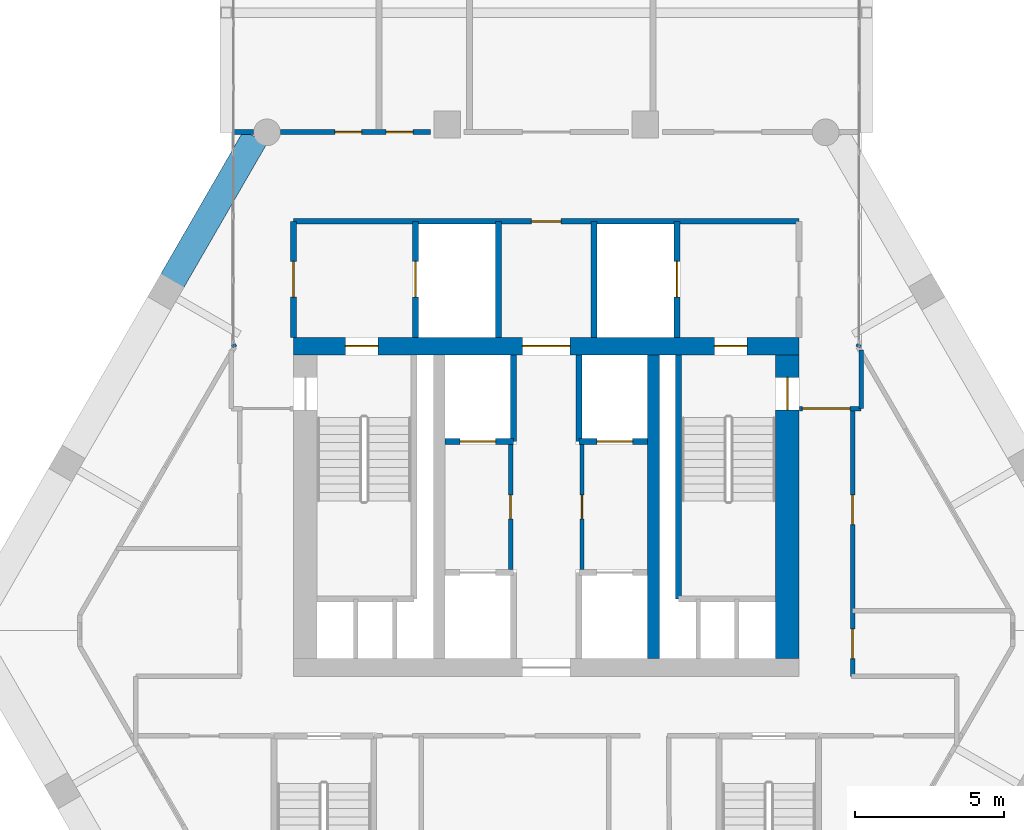
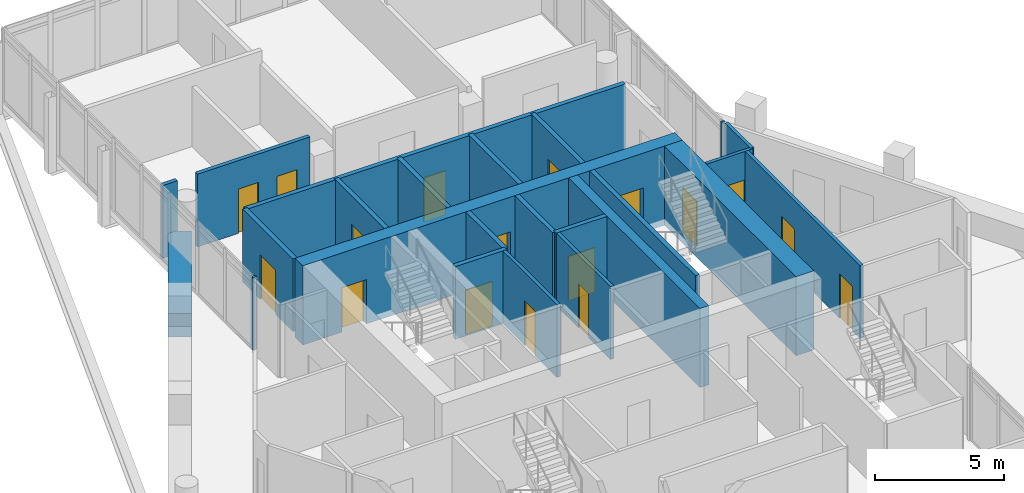
# One storey, part 31 of 34: 24 walls, 17 doors, 17 openings.
"""IFC4 building model written with IfcOpenShell, lengths in metres."""

from ifc_helpers import new_model, si_unit, direction, frame, frame_2d, origin, place, context, subcontext, project, spatial, rectangle, extrude, material, layer, layer_set, type_object, element, fill, save


model = new_model("IFC4")

# Units and contexts
model_context = context("Model", 3, precision=1e-05, world=origin(), true_north=direction((0.0, 1.0)))
body_context = subcontext(model_context, "Body", "Model", "MODEL_VIEW")
ifc_project = project(units=[si_unit("LENGTHUNIT", "METRE"), si_unit("AREAUNIT", "SQUARE_METRE"), si_unit("VOLUMEUNIT", "CUBIC_METRE"), si_unit("PLANEANGLEUNIT", "RADIAN"), si_unit("MASSUNIT", "GRAM", prefix="KILO")], contexts=[model_context])

# Site, building, storey
site_placement = place(None, origin())
site = spatial("IfcSite", under=ifc_project, at=site_placement, CompositionType="ELEMENT")
building_placement = place(site_placement, origin())
building = spatial("IfcBuilding", under=site, at=building_placement, Name="Ostrander Bayou Hotel Tower", CompositionType="ELEMENT")
storey_placement = place(building_placement, frame((0.0, 0.0, 222.0)))
storey = spatial("IfcBuildingStorey", under=building, at=storey_placement, Name="L55", CompositionType="ELEMENT", Elevation=222.0)

# Wall, openings, doors
ifc_material_1 = material(Name="Concrete f'c 60 MPa", Category="concrete")
ifc_layer_1 = layer(ifc_material_1, 0.60009765625)
ifc_layer_set_1 = layer_set([ifc_layer_1], Name="CW10 core wall 600 mm f'c 60 MPa")
wall_type_1 = type_object("IfcWallType", Name="CW10 core wall 600 mm f'c 60 MPa", PredefinedType="SHEAR", material=ifc_layer_set_1)
wall_1_placement = place(storey_placement, frame((-8.5, 9.39990234375, -0.300048828125), z_axis=(0.0, 0.0, 1.0), x_axis=(1.0, 0.0, 0.0)))
wall_1 = element("IfcWall", 1, at=wall_1_placement, inside=storey, type_object=wall_type_1, Name="CW10 L55 N", PredefinedType="SHEAR", context=body_context, shape_type="SweptSolid", body=[
    extrude(rectangle(XDim=17.0, YDim=0.60009765625, at=frame_2d((8.5, 0.0))), origin(), (0.0, 0.0, 1.0), 3.75),
])
opening_1_placement = place(wall_1_placement, frame((7.699951171875, 0.0, 0.0)))
opening_1 = element("IfcOpeningElement", 2, at=opening_1_placement, cuts=wall_1, Name="Opening T55-006", PredefinedType="OPENING", context=body_context, shape_type="SweptSolid", body=[
    extrude(rectangle(XDim=1.60009765625, YDim=2.10009765625, at=frame_2d((0.800048828125, 1.050048828125))), frame((0.0, 0.300048828125, 0.0), z_axis=(0.0, -1.0, 0.0), x_axis=(1.0, 0.0, 0.0)), (0.0, 0.0, 1.0), 0.60009765625),
])
opening_2_placement = place(wall_1_placement, frame((1.75, 0.0, 0.0)))
opening_2 = element("IfcOpeningElement", 3, at=opening_2_placement, cuts=wall_1, Name="Opening T55-007", PredefinedType="OPENING", context=body_context, shape_type="SweptSolid", body=[
    extrude(rectangle(XDim=1.10009765625, YDim=2.10009765625, at=frame_2d((0.550048828125, 1.050048828125))), frame((0.0, 0.300048828125, 0.0), z_axis=(0.0, -1.0, 0.0), x_axis=(1.0, 0.0, 0.0)), (0.0, 0.0, 1.0), 0.60009765625),
])
opening_3_placement = place(wall_1_placement, frame((14.14990234375, 0.0, 0.0)))
opening_3 = element("IfcOpeningElement", 4, at=opening_3_placement, cuts=wall_1, Name="Opening T55-009", PredefinedType="OPENING", context=body_context, shape_type="SweptSolid", body=[
    extrude(rectangle(XDim=1.10009765625, YDim=2.10009765625, at=frame_2d((0.550048828125, 1.050048828125))), frame((0.0, 0.300048828125, 0.0), z_axis=(0.0, -1.0, 0.0), x_axis=(1.0, 0.0, 0.0)), (0.0, 0.0, 1.0), 0.60009765625),
])
ifc_material_2 = material(Name="Timber door leaf", Category="wood")
door_type_1 = type_object("IfcDoorType", Name="D13 double door 1600 x 2100 mm, 1 hour", OperationType="SINGLE_SWING_LEFT", PredefinedType="DOOR", material=ifc_material_2)
door_1_placement = place(opening_1_placement, origin())
door_1 = element("IfcDoor", 5, at=door_1_placement, inside=storey, type_object=door_type_1, Name="dr:L55:006", OperationType="DOUBLE_DOOR_SINGLE_SWING", OverallHeight=2.10009765625, OverallWidth=1.60009765625, PredefinedType="DOOR", context=body_context, shape_type="SweptSolid", body=[
    extrude(rectangle(XDim=1.60009765625, YDim=2.10009765625, at=frame_2d((0.800048828125, 1.050048828125))), frame((0.0, 0.02490234375, 0.0), z_axis=(0.0, -1.0, 0.0), x_axis=(1.0, 0.0, 0.0)), (0.0, 0.0, 1.0), 0.050048828125),
])
fill(opening_1, door_1)
ifc_material_3 = material(Name="Timber door leaf", Category="wood")
door_type_2 = type_object("IfcDoorType", Name="D5 stair door 1100 x 2100 mm, 90 minute", OperationType="SINGLE_SWING_LEFT", PredefinedType="DOOR", material=ifc_material_3)
door_2_placement = place(opening_2_placement, origin())
door_2 = element("IfcDoor", 6, at=door_2_placement, inside=storey, type_object=door_type_2, Name="dr:L55:007", OperationType="SINGLE_SWING_LEFT", OverallHeight=2.10009765625, OverallWidth=1.10009765625, PredefinedType="DOOR", context=body_context, shape_type="SweptSolid", body=[
    extrude(rectangle(XDim=1.10009765625, YDim=2.10009765625, at=frame_2d((0.550048828125, 1.050048828125))), frame((0.0, 0.02490234375, 0.0), z_axis=(0.0, -1.0, 0.0), x_axis=(1.0, 0.0, 0.0)), (0.0, 0.0, 1.0), 0.050048828125),
])
fill(opening_2, door_2)
door_3_placement = place(opening_3_placement, origin())
door_3 = element("IfcDoor", 7, at=door_3_placement, inside=storey, type_object=door_type_2, Name="dr:L55:009", OperationType="SINGLE_SWING_RIGHT", OverallHeight=2.10009765625, OverallWidth=1.10009765625, PredefinedType="DOOR", context=body_context, shape_type="SweptSolid", body=[
    extrude(rectangle(XDim=1.10009765625, YDim=2.10009765625, at=frame_2d((0.550048828125, 1.050048828125))), frame((0.0, 0.02490234375, 0.0), z_axis=(0.0, -1.0, 0.0), x_axis=(1.0, 0.0, 0.0)), (0.0, 0.0, 1.0), 0.050048828125),
])
fill(opening_3, door_3)

# Wall, opening, door
ifc_material_4 = material(Name="Concrete f'c 60 MPa", Category="concrete")
ifc_layer_2 = layer(ifc_material_4, 0.800048828125)
ifc_layer_set_2 = layer_set([ifc_layer_2], Name="CW11 core spine wall 800 mm f'c 60 MPa")
wall_type_2 = type_object("IfcWallType", Name="CW11 core spine wall 800 mm f'c 60 MPa", PredefinedType="SHEAR", material=ifc_layer_set_2)
wall_2_placement = place(storey_placement, frame((8.10009765625, -1.10009765625, -0.300048828125), z_axis=(0.0, 0.0, 1.0), x_axis=(0.0, 1.0, 0.0)))
wall_2 = element("IfcWall", 8, at=wall_2_placement, inside=storey, type_object=wall_type_2, Name="CW11 L55 E", PredefinedType="SHEAR", context=body_context, shape_type="SweptSolid", body=[
    extrude(rectangle(XDim=10.2001953125, YDim=0.800048828125, at=frame_2d((5.10009765625, 0.0))), origin(), (0.0, 0.0, 1.0), 3.75),
])
opening_4_placement = place(wall_2_placement, frame((8.35009765625, 0.0, 0.0)))
opening_4 = element("IfcOpeningElement", 9, at=opening_4_placement, cuts=wall_2, Name="Opening T55-010", PredefinedType="OPENING", context=body_context, shape_type="SweptSolid", body=[
    extrude(rectangle(XDim=1.10009765625, YDim=2.10009765625, at=frame_2d((0.550048828125, 1.050048828125))), frame((0.0, 0.39990234375, 0.0), z_axis=(0.0, -1.0, 0.0), x_axis=(1.0, 0.0, 0.0)), (0.0, 0.0, 1.0), 0.800048828125),
])
door_4_placement = place(opening_4_placement, origin())
door_4 = element("IfcDoor", 10, at=door_4_placement, inside=storey, type_object=door_type_2, Name="dr:L55:010", OperationType="SINGLE_SWING_LEFT", OverallHeight=2.10009765625, OverallWidth=1.10009765625, PredefinedType="DOOR", context=body_context, shape_type="SweptSolid", body=[
    extrude(rectangle(XDim=1.10009765625, YDim=2.10009765625, at=frame_2d((0.550048828125, 1.050048828125))), frame((0.0, 0.02490234375, 0.0), z_axis=(0.0, -1.0, 0.0), x_axis=(1.0, 0.0, 0.0)), (0.0, 0.0, 1.0), 0.050048828125),
])
fill(opening_4, door_4)

# Walls
ifc_material_5 = material(Name="Concrete f'c 60 MPa", Category="concrete")
ifc_layer_3 = layer(ifc_material_5, 0.39990234375)
ifc_layer_set_3 = layer_set([ifc_layer_3], Name="CW12 core bank wall 400 mm f'c 60 MPa")
wall_type_3 = type_object("IfcWallType", Name="CW12 core bank wall 400 mm f'c 60 MPa", PredefinedType="SHEAR", material=ifc_layer_set_3)
wall_3_placement = place(storey_placement, frame((3.60009765625, -1.10009765625, -0.300048828125), z_axis=(0.0, 0.0, 1.0), x_axis=(0.0, 1.0, 0.0)))
element("IfcWall", 11, at=wall_3_placement, inside=storey, type_object=wall_type_3, Name="CW12 L55 CE", PredefinedType="SHEAR", context=body_context, shape_type="SweptSolid", body=[
    extrude(rectangle(XDim=10.2001953125, YDim=0.39990234375, at=frame_2d((5.10009765625, 0.0))), origin(), (0.0, 0.0, 1.0), 3.75),
])
ifc_material_6 = material(Name="Aluminium framed insulated wall", Category="aluminium")
ifc_layer_4 = layer(ifc_material_6, 0.14990234375)
ifc_layer_set_4 = layer_set([ifc_layer_4], Name="GW1 glass-line wall 150 mm")
wall_type_4 = type_object("IfcWallType", Name="GW1 glass-line wall 150 mm", PredefinedType="SOLIDWALL", material=ifc_layer_set_4)
for number, where, z_axis, x_axis, name in (
    (12, (-10.47900390625, 9.37255859375, 0.0), (0.0, 0.0, 1.0), (-0.337751931921, 0.941235163221, 0.0), "GW1 L55 bar joint 1"),
    (13, (10.47900390625, 9.37255859375, 0.0), (0.0, 0.0, 1.0), (0.337751931921, 0.941235163221, 0.0), "GW1 L55 bar joint 4"),
):
    element("IfcWall", number, at=place(storey_placement, frame(where, z_axis=z_axis, x_axis=x_axis)), inside=storey, type_object=wall_type_4, Name=name, PredefinedType="SOLIDWALL", context=body_context, shape_type="SweptSolid", body=[
        extrude(rectangle(XDim=0.098388671875, YDim=0.14990234375, at=frame_2d((0.04931640625, 0.0))), origin(), (0.0, 0.0, 1.0), 3.449951171875),
    ])
ifc_material_7 = material(Name="Concrete f'c 40 MPa", Category="concrete")
ifc_layer_5 = layer(ifc_material_7, 0.89990234375)
ifc_layer_set_5 = layer_set([ifc_layer_5], Name="PA1 stone-faced parapet 900 mm")
wall_type_5 = type_object("IfcWallType", Name="PA1 stone-faced parapet 900 mm", PredefinedType="PARAPET", material=ifc_layer_set_5)
wall_4_placement = place(storey_placement, frame((-9.782958984375, 16.427978515625, 0.0), z_axis=(0.0, 0.0, 1.0), x_axis=(-0.500007442593, -0.866021106759, 0.0)))
element("IfcWall", 14, at=wall_4_placement, inside=storey, type_object=wall_type_5, Name="PA1 L55 NW-1", PredefinedType="PARAPET", context=body_context, shape_type="SweptSolid", body=[
    extrude(rectangle(XDim=5.58642578125, YDim=0.89990234375, at=frame_2d((2.793212890625, 0.0))), origin(), (0.0, 0.0, 1.0), 1.10009765625),
])
ifc_material_8 = material(Name="Gypsum board partition", Category="finish")
ifc_layer_6 = layer(ifc_material_8, 0.175048828125)
ifc_layer_set_6 = layer_set([ifc_layer_6], Name="PT4 corridor wall 175 mm, 1 hour")
wall_type_6 = type_object("IfcWallType", Name="PT4 corridor wall 175 mm, 1 hour", PredefinedType="PARTITIONING", material=ifc_layer_set_6)
wall_5_placement = place(storey_placement, frame((-10.4931640625, 16.60009765625, 0.0), z_axis=(0.0, 0.0, 1.0), x_axis=(1.0, 0.0, 0.0)))
element("IfcWall", 15, at=wall_5_placement, inside=storey, type_object=wall_type_6, Name="sw:L55:503", PredefinedType="PARTITIONING", context=body_context, shape_type="SweptSolid", body=[
    extrude(rectangle(XDim=0.65576171875, YDim=0.175048828125, at=frame_2d((0.327880859375, 0.0))), origin(), (0.0, 0.0, 1.0), 3.449951171875),
])

# Wall, openings, doors
wall_6_placement = place(storey_placement, frame((-8.939697265625, 16.60009765625, 0.0), z_axis=(0.0, 0.0, 1.0), x_axis=(1.0, 0.0, 0.0)))
wall_6 = element("IfcWall", 16, at=wall_6_placement, inside=storey, type_object=wall_type_6, Name="sw:L55:504", PredefinedType="PARTITIONING", context=body_context, shape_type="SweptSolid", body=[
    extrude(rectangle(XDim=5.040771484375, YDim=0.175048828125, at=frame_2d((2.5205078125, 0.0))), origin(), (0.0, 0.0, 1.0), 3.449951171875),
])
opening_5_placement = place(wall_6_placement, frame((1.83154296875, 0.0, 0.0)))
opening_5 = element("IfcOpeningElement", 17, at=opening_5_placement, cuts=wall_6, Name="Opening T55-1209", PredefinedType="OPENING", context=body_context, shape_type="SweptSolid", body=[
    extrude(rectangle(XDim=0.89990234375, YDim=2.10009765625, at=frame_2d((0.449951171875, 1.050048828125))), frame((0.0, 0.08740234375, 0.0), z_axis=(0.0, -1.0, 0.0), x_axis=(1.0, 0.0, 0.0)), (0.0, 0.0, 1.0), 0.175048828125),
])
opening_6_placement = place(wall_6_placement, frame((3.5595703125, 0.0, 0.0)))
opening_6 = element("IfcOpeningElement", 18, at=opening_6_placement, cuts=wall_6, Name="Opening T55-1210", PredefinedType="OPENING", context=body_context, shape_type="SweptSolid", body=[
    extrude(rectangle(XDim=0.89990234375, YDim=2.10009765625, at=frame_2d((0.449951171875, 1.050048828125))), frame((0.0, 0.08740234375, 0.0), z_axis=(0.0, -1.0, 0.0), x_axis=(1.0, 0.0, 0.0)), (0.0, 0.0, 1.0), 0.175048828125),
])
ifc_material_9 = material(Name="Timber door leaf", Category="wood")
door_type_3 = type_object("IfcDoorType", Name="D8 room door 900 x 2100 mm", OperationType="SINGLE_SWING_LEFT", PredefinedType="DOOR", material=ifc_material_9)
door_5_placement = place(opening_5_placement, origin())
door_5 = element("IfcDoor", 19, at=door_5_placement, inside=storey, type_object=door_type_3, Name="dr:L55:1209", OperationType="SINGLE_SWING_LEFT", OverallHeight=2.10009765625, OverallWidth=0.89990234375, PredefinedType="DOOR", context=body_context, shape_type="SweptSolid", body=[
    extrude(rectangle(XDim=0.89990234375, YDim=2.10009765625, at=frame_2d((0.449951171875, 1.050048828125))), frame((0.0, 0.02490234375, 0.0), z_axis=(0.0, -1.0, 0.0), x_axis=(1.0, 0.0, 0.0)), (0.0, 0.0, 1.0), 0.050048828125),
])
fill(opening_5, door_5)
door_6_placement = place(opening_6_placement, origin())
door_6 = element("IfcDoor", 20, at=door_6_placement, inside=storey, type_object=door_type_3, Name="dr:L55:1210", OperationType="SINGLE_SWING_RIGHT", OverallHeight=2.10009765625, OverallWidth=0.89990234375, PredefinedType="DOOR", context=body_context, shape_type="SweptSolid", body=[
    extrude(rectangle(XDim=0.89990234375, YDim=2.10009765625, at=frame_2d((0.449951171875, 1.050048828125))), frame((0.0, 0.02490234375, 0.0), z_axis=(0.0, -1.0, 0.0), x_axis=(1.0, 0.0, 0.0)), (0.0, 0.0, 1.0), 0.050048828125),
])
fill(opening_6, door_6)

# Wall, opening, door
ifc_material_10 = material(Name="Masonry block", Category="masonry")
ifc_layer_7 = layer(ifc_material_10, 0.199951171875)
ifc_layer_set_7 = layer_set([ifc_layer_7], Name="PT5 stair enclosure wall 200 mm masonry, 2 hour")
wall_type_7 = type_object("IfcWallType", Name="PT5 stair enclosure wall 200 mm masonry, 2 hour", PredefinedType="PARTITIONING", material=ifc_layer_set_7)
wall_7_placement = place(storey_placement, frame((-8.5, 13.60009765625, 0.0), z_axis=(0.0, 0.0, 1.0), x_axis=(1.0, 0.0, 0.0)))
wall_7 = element("IfcWall", 21, at=wall_7_placement, inside=storey, type_object=wall_type_7, Name="cs:L55:025", PredefinedType="PARTITIONING", context=body_context, shape_type="SweptSolid", body=[
    extrude(rectangle(XDim=17.0, YDim=0.199951171875, at=frame_2d((8.5, 0.0))), origin(), (0.0, 0.0, 1.0), 3.449951171875),
])
opening_7_placement = place(wall_7_placement, frame((8.0, 0.0, 0.0)))
opening_7 = element("IfcOpeningElement", 22, at=opening_7_placement, cuts=wall_7, Name="Opening T55-017", PredefinedType="OPENING", context=body_context, shape_type="SweptSolid", body=[
    extrude(rectangle(XDim=1.0, YDim=2.10009765625, at=frame_2d((0.5, 1.050048828125))), frame((0.0, 0.10009765625, 0.0), z_axis=(0.0, -1.0, 0.0), x_axis=(1.0, 0.0, 0.0)), (0.0, 0.0, 1.0), 0.199951171875),
])
ifc_material_11 = material(Name="Timber door leaf", Category="wood")
door_type_4 = type_object("IfcDoorType", Name="D9 service door 1000 x 2100 mm, 30 minute", OperationType="SINGLE_SWING_LEFT", PredefinedType="DOOR", material=ifc_material_11)
door_7_placement = place(opening_7_placement, origin())
door_7 = element("IfcDoor", 23, at=door_7_placement, inside=storey, type_object=door_type_4, Name="dr:L55:017", OperationType="SINGLE_SWING_LEFT", OverallHeight=2.10009765625, OverallWidth=1.0, PredefinedType="DOOR", context=body_context, shape_type="SweptSolid", body=[
    extrude(rectangle(XDim=1.0, YDim=2.10009765625, at=frame_2d((0.5, 1.050048828125))), frame((0.0, 0.02490234375, 0.0), z_axis=(0.0, -1.0, 0.0), x_axis=(1.0, 0.0, 0.0)), (0.0, 0.0, 1.0), 0.050048828125),
])
fill(opening_7, door_7)

wall_8_placement = place(storey_placement, frame((-8.5, 9.699951171875, 0.0), z_axis=(0.0, 0.0, 1.0), x_axis=(0.0, 1.0, 0.0)))
wall_8 = element("IfcWall", 24, at=wall_8_placement, inside=storey, type_object=wall_type_7, Name="cs:L55:026", PredefinedType="PARTITIONING", context=body_context, shape_type="SweptSolid", body=[
    extrude(rectangle(XDim=3.900146484375, YDim=0.199951171875, at=frame_2d((1.9501953125, 0.0))), origin(), (0.0, 0.0, 1.0), 3.449951171875),
])
opening_8_placement = place(wall_8_placement, frame((1.35009765625, 0.0, 0.0)))
opening_8 = element("IfcOpeningElement", 25, at=opening_8_placement, cuts=wall_8, Name="Opening T55-014", PredefinedType="OPENING", context=body_context, shape_type="SweptSolid", body=[
    extrude(rectangle(XDim=1.199951171875, YDim=2.10009765625, at=frame_2d((0.60009765625, 1.050048828125))), frame((0.0, 0.10009765625, 0.0), z_axis=(0.0, -1.0, 0.0), x_axis=(1.0, 0.0, 0.0)), (0.0, 0.0, 1.0), 0.199951171875),
])
ifc_material_12 = material(Name="Timber door leaf", Category="wood")
door_type_5 = type_object("IfcDoorType", Name="D7 lobby door 1200 x 2100 mm, 1 hour", OperationType="SINGLE_SWING_LEFT", PredefinedType="DOOR", material=ifc_material_12)
door_8_placement = place(opening_8_placement, origin())
door_8 = element("IfcDoor", 26, at=door_8_placement, inside=storey, type_object=door_type_5, Name="dr:L55:014", OperationType="SINGLE_SWING_LEFT", OverallHeight=2.10009765625, OverallWidth=1.199951171875, PredefinedType="DOOR", context=body_context, shape_type="SweptSolid", body=[
    extrude(rectangle(XDim=1.199951171875, YDim=2.10009765625, at=frame_2d((0.60009765625, 1.050048828125))), frame((0.0, 0.02490234375, 0.0), z_axis=(0.0, -1.0, 0.0), x_axis=(1.0, 0.0, 0.0)), (0.0, 0.0, 1.0), 0.050048828125),
])
fill(opening_8, door_8)

wall_9_placement = place(storey_placement, frame((-4.39990234375, 9.699951171875, 0.0), z_axis=(0.0, 0.0, 1.0), x_axis=(0.0, 1.0, 0.0)))
wall_9 = element("IfcWall", 27, at=wall_9_placement, inside=storey, type_object=wall_type_7, Name="cs:L55:028", PredefinedType="PARTITIONING", context=body_context, shape_type="SweptSolid", body=[
    extrude(rectangle(XDim=3.900146484375, YDim=0.199951171875, at=frame_2d((1.9501953125, 0.0))), origin(), (0.0, 0.0, 1.0), 3.449951171875),
])
opening_9_placement = place(wall_9_placement, frame((1.35009765625, 0.0, 0.0)))
opening_9 = element("IfcOpeningElement", 28, at=opening_9_placement, cuts=wall_9, Name="Opening T55-013", PredefinedType="OPENING", context=body_context, shape_type="SweptSolid", body=[
    extrude(rectangle(XDim=1.199951171875, YDim=2.10009765625, at=frame_2d((0.60009765625, 1.050048828125))), frame((0.0, 0.10009765625, 0.0), z_axis=(0.0, -1.0, 0.0), x_axis=(1.0, 0.0, 0.0)), (0.0, 0.0, 1.0), 0.199951171875),
])
ifc_material_13 = material(Name="Stainless steel sliding door", Category="steel")
door_type_6 = type_object("IfcDoorType", Name="LD1 lift landing door 1200 x 2100 mm", OperationType="SINGLE_SWING_LEFT", PredefinedType="DOOR", material=ifc_material_13)
door_9_placement = place(opening_9_placement, origin())
door_9 = element("IfcDoor", 29, at=door_9_placement, inside=storey, type_object=door_type_6, Name="dr:L55:013", OperationType="SLIDING_TO_LEFT", OverallHeight=2.10009765625, OverallWidth=1.199951171875, PredefinedType="DOOR", context=body_context, shape_type="SweptSolid", body=[
    extrude(rectangle(XDim=1.199951171875, YDim=2.10009765625, at=frame_2d((0.60009765625, 1.050048828125))), frame((0.0, 0.02490234375, 0.0), z_axis=(0.0, -1.0, 0.0), x_axis=(1.0, 0.0, 0.0)), (0.0, 0.0, 1.0), 0.050048828125),
])
fill(opening_9, door_9)

wall_10_placement = place(storey_placement, frame((4.39990234375, 9.699951171875, 0.0), z_axis=(0.0, 0.0, 1.0), x_axis=(0.0, 1.0, 0.0)))
wall_10 = element("IfcWall", 30, at=wall_10_placement, inside=storey, type_object=wall_type_7, Name="cs:L55:029", PredefinedType="PARTITIONING", context=body_context, shape_type="SweptSolid", body=[
    extrude(rectangle(XDim=3.900146484375, YDim=0.199951171875, at=frame_2d((1.9501953125, 0.0))), origin(), (0.0, 0.0, 1.0), 3.449951171875),
])
opening_10_placement = place(wall_10_placement, frame((1.35009765625, 0.0, 0.0)))
opening_10 = element("IfcOpeningElement", 31, at=opening_10_placement, cuts=wall_10, Name="Opening T55-015", PredefinedType="OPENING", context=body_context, shape_type="SweptSolid", body=[
    extrude(rectangle(XDim=1.199951171875, YDim=2.10009765625, at=frame_2d((0.60009765625, 1.050048828125))), frame((0.0, 0.10009765625, 0.0), z_axis=(0.0, -1.0, 0.0), x_axis=(1.0, 0.0, 0.0)), (0.0, 0.0, 1.0), 0.199951171875),
])
door_10_placement = place(opening_10_placement, origin())
door_10 = element("IfcDoor", 32, at=door_10_placement, inside=storey, type_object=door_type_6, Name="dr:L55:015", OperationType="SLIDING_TO_LEFT", OverallHeight=2.10009765625, OverallWidth=1.199951171875, PredefinedType="DOOR", context=body_context, shape_type="SweptSolid", body=[
    extrude(rectangle(XDim=1.199951171875, YDim=2.10009765625, at=frame_2d((0.60009765625, 1.050048828125))), frame((0.0, 0.02490234375, 0.0), z_axis=(0.0, -1.0, 0.0), x_axis=(1.0, 0.0, 0.0)), (0.0, 0.0, 1.0), 0.050048828125),
])
fill(opening_10, door_10)

ifc_material_14 = material(Name="Masonry block", Category="masonry")
ifc_layer_8 = layer(ifc_material_14, 0.199951171875)
ifc_layer_set_8 = layer_set([ifc_layer_8], Name="PT6 lift shaft wall 200 mm masonry, 2 hour")
wall_type_8 = type_object("IfcWallType", Name="PT6 lift shaft wall 200 mm masonry, 2 hour", PredefinedType="PARTITIONING", material=ifc_layer_set_8)
wall_11_placement = place(storey_placement, frame((-3.39990234375, 6.199951171875, 0.0), z_axis=(0.0, 0.0, 1.0), x_axis=(1.0, 0.0, 0.0)))
wall_11 = element("IfcWall", 33, at=wall_11_placement, inside=storey, type_object=wall_type_8, Name="cs:L55:002", PredefinedType="PARTITIONING", context=body_context, shape_type="SweptSolid", body=[
    extrude(rectangle(XDim=2.2998046875, YDim=0.199951171875, at=frame_2d((1.14990234375, 0.0))), origin(), (0.0, 0.0, 1.0), 3.449951171875),
])
opening_11_placement = place(wall_11_placement, frame((0.5, 0.0, 0.0)))
opening_11 = element("IfcOpeningElement", 34, at=opening_11_placement, cuts=wall_11, Name="Opening T55-003", PredefinedType="OPENING", context=body_context, shape_type="SweptSolid", body=[
    extrude(rectangle(XDim=1.199951171875, YDim=2.10009765625, at=frame_2d((0.60009765625, 1.050048828125))), frame((0.0, 0.10009765625, 0.0), z_axis=(0.0, -1.0, 0.0), x_axis=(1.0, 0.0, 0.0)), (0.0, 0.0, 1.0), 0.199951171875),
])
door_11_placement = place(opening_11_placement, origin())
door_11 = element("IfcDoor", 35, at=door_11_placement, inside=storey, type_object=door_type_6, Name="dr:L55:003", OperationType="SLIDING_TO_LEFT", OverallHeight=2.10009765625, OverallWidth=1.199951171875, PredefinedType="DOOR", context=body_context, shape_type="SweptSolid", body=[
    extrude(rectangle(XDim=1.199951171875, YDim=2.10009765625, at=frame_2d((0.60009765625, 1.050048828125))), frame((0.0, 0.02490234375, 0.0), z_axis=(0.0, -1.0, 0.0), x_axis=(1.0, 0.0, 0.0)), (0.0, 0.0, 1.0), 0.050048828125),
])
fill(opening_11, door_11)

wall_12_placement = place(storey_placement, frame((1.10009765625, 6.199951171875, 0.0), z_axis=(0.0, 0.0, 1.0), x_axis=(1.0, 0.0, 0.0)))
wall_12 = element("IfcWall", 36, at=wall_12_placement, inside=storey, type_object=wall_type_8, Name="cs:L55:004", PredefinedType="PARTITIONING", context=body_context, shape_type="SweptSolid", body=[
    extrude(rectangle(XDim=2.2998046875, YDim=0.199951171875, at=frame_2d((1.14990234375, 0.0))), origin(), (0.0, 0.0, 1.0), 3.449951171875),
])
opening_12_placement = place(wall_12_placement, frame((0.60009765625, 0.0, 0.0)))
opening_12 = element("IfcOpeningElement", 37, at=opening_12_placement, cuts=wall_12, Name="Opening T55-004", PredefinedType="OPENING", context=body_context, shape_type="SweptSolid", body=[
    extrude(rectangle(XDim=1.199951171875, YDim=2.10009765625, at=frame_2d((0.60009765625, 1.050048828125))), frame((0.0, 0.10009765625, 0.0), z_axis=(0.0, -1.0, 0.0), x_axis=(1.0, 0.0, 0.0)), (0.0, 0.0, 1.0), 0.199951171875),
])
door_12_placement = place(opening_12_placement, origin())
door_12 = element("IfcDoor", 38, at=door_12_placement, inside=storey, type_object=door_type_6, Name="dr:L55:004", OperationType="SLIDING_TO_LEFT", OverallHeight=2.10009765625, OverallWidth=1.199951171875, PredefinedType="DOOR", context=body_context, shape_type="SweptSolid", body=[
    extrude(rectangle(XDim=1.199951171875, YDim=2.10009765625, at=frame_2d((0.60009765625, 1.050048828125))), frame((0.0, 0.02490234375, 0.0), z_axis=(0.0, -1.0, 0.0), x_axis=(1.0, 0.0, 0.0)), (0.0, 0.0, 1.0), 0.050048828125),
])
fill(opening_12, door_12)

# Walls
for number, where, z_axis, x_axis, name in (
    (39, (-1.10009765625, 6.199951171875, 0.0), (0.0, 0.0, 1.0), (0.0, 1.0, 0.0), "cs:L55:007"),
    (40, (1.10009765625, 6.199951171875, 0.0), (0.0, 0.0, 1.0), (0.0, 1.0, 0.0), "cs:L55:008"),
):
    element("IfcWall", number, at=place(storey_placement, frame(where, z_axis=z_axis, x_axis=x_axis)), inside=storey, type_object=wall_type_8, Name=name, PredefinedType="PARTITIONING", context=body_context, shape_type="SweptSolid", body=[
        extrude(rectangle(XDim=2.900146484375, YDim=0.199951171875, at=frame_2d((1.4501953125, 0.0))), origin(), (0.0, 0.0, 1.0), 3.449951171875),
    ])
for number, where, z_axis, x_axis, name in (
    (41, (-1.60009765625, 9.699951171875, 0.0), (0.0, 0.0, 1.0), (0.0, 1.0, 0.0), "cs:L55:030"),
    (42, (1.60009765625, 9.699951171875, 0.0), (0.0, 0.0, 1.0), (0.0, 1.0, 0.0), "cs:L55:031"),
):
    element("IfcWall", number, at=place(storey_placement, frame(where, z_axis=z_axis, x_axis=x_axis)), inside=storey, type_object=wall_type_8, Name=name, PredefinedType="PARTITIONING", context=body_context, shape_type="SweptSolid", body=[
        extrude(rectangle(XDim=3.900146484375, YDim=0.199951171875, at=frame_2d((1.9501953125, 0.0))), origin(), (0.0, 0.0, 1.0), 3.449951171875),
    ])

# Wall, opening, door
ifc_material_15 = material(Name="Gypsum board partition", Category="finish")
ifc_layer_9 = layer(ifc_material_15, 0.14990234375)
ifc_layer_set_9 = layer_set([ifc_layer_9], Name="PT7 riser wall 150 mm, 2 hour")
wall_type_9 = type_object("IfcWallType", Name="PT7 riser wall 150 mm, 2 hour", PredefinedType="PARTITIONING", material=ifc_layer_set_9)
wall_13_placement = place(storey_placement, frame((-1.199951171875, 1.89990234375, 0.0), z_axis=(0.0, 0.0, 1.0), x_axis=(0.0, 1.0, 0.0)))
wall_13 = element("IfcWall", 43, at=wall_13_placement, inside=storey, type_object=wall_type_9, Name="cs:L55:032", PredefinedType="PARTITIONING", context=body_context, shape_type="SweptSolid", body=[
    extrude(rectangle(XDim=4.2001953125, YDim=0.14990234375, at=frame_2d((2.10009765625, 0.0))), origin(), (0.0, 0.0, 1.0), 3.449951171875),
])
opening_13_placement = place(wall_13_placement, frame((1.699951171875, 0.0, 0.0)))
opening_13 = element("IfcOpeningElement", 44, at=opening_13_placement, cuts=wall_13, Name="Opening T55-018", PredefinedType="OPENING", context=body_context, shape_type="SweptSolid", body=[
    extrude(rectangle(XDim=0.800048828125, YDim=2.10009765625, at=frame_2d((0.39990234375, 1.050048828125))), frame((0.0, 0.074951171875, 0.0), z_axis=(0.0, -1.0, 0.0), x_axis=(1.0, 0.0, 0.0)), (0.0, 0.0, 1.0), 0.14990234375),
])
ifc_material_16 = material(Name="Timber door leaf", Category="wood")
door_type_7 = type_object("IfcDoorType", Name="D6 riser door 800 x 2100 mm, 90 minute", OperationType="SINGLE_SWING_LEFT", PredefinedType="DOOR", material=ifc_material_16)
door_13_placement = place(opening_13_placement, origin())
door_13 = element("IfcDoor", 45, at=door_13_placement, inside=storey, type_object=door_type_7, Name="dr:L55:018", OperationType="SINGLE_SWING_LEFT", OverallHeight=2.10009765625, OverallWidth=0.800048828125, PredefinedType="DOOR", context=body_context, shape_type="SweptSolid", body=[
    extrude(rectangle(XDim=0.800048828125, YDim=2.10009765625, at=frame_2d((0.39990234375, 1.050048828125))), frame((0.0, 0.02490234375, 0.0), z_axis=(0.0, -1.0, 0.0), x_axis=(1.0, 0.0, 0.0)), (0.0, 0.0, 1.0), 0.050048828125),
])
fill(opening_13, door_13)

wall_14_placement = place(storey_placement, frame((1.199951171875, 1.89990234375, 0.0), z_axis=(0.0, 0.0, 1.0), x_axis=(0.0, 1.0, 0.0)))
wall_14 = element("IfcWall", 46, at=wall_14_placement, inside=storey, type_object=wall_type_9, Name="cs:L55:033", PredefinedType="PARTITIONING", context=body_context, shape_type="SweptSolid", body=[
    extrude(rectangle(XDim=4.2001953125, YDim=0.14990234375, at=frame_2d((2.10009765625, 0.0))), origin(), (0.0, 0.0, 1.0), 3.449951171875),
])
opening_14_placement = place(wall_14_placement, frame((1.699951171875, 0.0, 0.0)))
opening_14 = element("IfcOpeningElement", 47, at=opening_14_placement, cuts=wall_14, Name="Opening T55-019", PredefinedType="OPENING", context=body_context, shape_type="SweptSolid", body=[
    extrude(rectangle(XDim=0.800048828125, YDim=2.10009765625, at=frame_2d((0.39990234375, 1.050048828125))), frame((0.0, 0.074951171875, 0.0), z_axis=(0.0, -1.0, 0.0), x_axis=(1.0, 0.0, 0.0)), (0.0, 0.0, 1.0), 0.14990234375),
])
door_14_placement = place(opening_14_placement, origin())
door_14 = element("IfcDoor", 48, at=door_14_placement, inside=storey, type_object=door_type_7, Name="dr:L55:019", OperationType="SINGLE_SWING_RIGHT", OverallHeight=2.10009765625, OverallWidth=0.800048828125, PredefinedType="DOOR", context=body_context, shape_type="SweptSolid", body=[
    extrude(rectangle(XDim=0.800048828125, YDim=2.10009765625, at=frame_2d((0.39990234375, 1.050048828125))), frame((0.0, 0.02490234375, 0.0), z_axis=(0.0, -1.0, 0.0), x_axis=(1.0, 0.0, 0.0)), (0.0, 0.0, 1.0), 0.050048828125),
])
fill(opening_14, door_14)

ifc_material_17 = material(Name="Gypsum board partition", Category="finish")
ifc_layer_10 = layer(ifc_material_17, 0.14990234375)
ifc_layer_set_10 = layer_set([ifc_layer_10], Name="PT8 service band wall 150 mm, 1 hour")
wall_type_10 = type_object("IfcWallType", Name="PT8 service band wall 150 mm, 1 hour", PredefinedType="PARTITIONING", material=ifc_layer_set_10)
wall_15_placement = place(storey_placement, frame((8.510009765625, 7.300048828125, 0.0), z_axis=(0.0, 0.0, 1.0), x_axis=(1.0, 0.0, 0.0)))
wall_15 = element("IfcWall", 49, at=wall_15_placement, inside=storey, type_object=wall_type_10, Name="gw:L55:013", PredefinedType="PARTITIONING", context=body_context, shape_type="SweptSolid", body=[
    extrude(rectangle(XDim=2.074951171875, YDim=0.14990234375, at=frame_2d((1.03759765625, 0.0))), origin(), (0.0, 0.0, 1.0), 3.449951171875),
])
opening_15_placement = place(wall_15_placement, frame((0.10009765625, 0.0, 0.0)))
opening_15 = element("IfcOpeningElement", 50, at=opening_15_placement, cuts=wall_15, Name="Opening T55-1213", PredefinedType="OPENING", context=body_context, shape_type="SweptSolid", body=[
    extrude(rectangle(XDim=1.60009765625, YDim=2.10009765625, at=frame_2d((0.800048828125, 1.050048828125))), frame((0.0, 0.074951171875, 0.0), z_axis=(0.0, -1.0, 0.0), x_axis=(1.0, 0.0, 0.0)), (0.0, 0.0, 1.0), 0.14990234375),
])
door_15_placement = place(opening_15_placement, origin())
door_15 = element("IfcDoor", 51, at=door_15_placement, inside=storey, type_object=door_type_1, Name="dr:L55:1213", OperationType="DOUBLE_DOOR_SINGLE_SWING", OverallHeight=2.10009765625, OverallWidth=1.60009765625, PredefinedType="DOOR", context=body_context, shape_type="SweptSolid", body=[
    extrude(rectangle(XDim=1.60009765625, YDim=2.10009765625, at=frame_2d((0.800048828125, 1.050048828125))), frame((0.0, 0.02490234375, 0.0), z_axis=(0.0, -1.0, 0.0), x_axis=(1.0, 0.0, 0.0)), (0.0, 0.0, 1.0), 0.050048828125),
])
fill(opening_15, door_15)

# Wall
wall_16_placement = place(storey_placement, frame((10.5849609375, 7.300048828125, 0.0), z_axis=(0.0, 0.0, 1.0), x_axis=(0.0, 1.0, 0.0)))
element("IfcWall", 52, at=wall_16_placement, inside=storey, type_object=wall_type_10, Name="gw:L55:016", PredefinedType="PARTITIONING", context=body_context, shape_type="SweptSolid", body=[
    extrude(rectangle(XDim=1.97900390625, YDim=0.14990234375, at=frame_2d((0.989501953125, 0.0))), origin(), (0.0, 0.0, 1.0), 3.449951171875),
])

# Wall, openings, doors
wall_17_placement = place(storey_placement, frame((10.300048828125, -1.699951171875, 0.0), z_axis=(0.0, 0.0, 1.0), x_axis=(0.0, 1.0, 0.0)))
wall_17 = element("IfcWall", 53, at=wall_17_placement, inside=storey, type_object=wall_type_10, Name="gw:L55:017", PredefinedType="PARTITIONING", context=body_context, shape_type="SweptSolid", body=[
    extrude(rectangle(XDim=9.0, YDim=0.14990234375, at=frame_2d((4.5, 0.0))), origin(), (0.0, 0.0, 1.0), 3.449951171875),
])
opening_16_placement = place(wall_17_placement, frame((0.60009765625, 0.0, 0.0)))
opening_16 = element("IfcOpeningElement", 54, at=opening_16_placement, cuts=wall_17, Name="Opening T55-406", PredefinedType="OPENING", context=body_context, shape_type="SweptSolid", body=[
    extrude(rectangle(XDim=1.0, YDim=2.10009765625, at=frame_2d((0.5, 1.050048828125))), frame((0.0, 0.074951171875, 0.0), z_axis=(0.0, -1.0, 0.0), x_axis=(1.0, 0.0, 0.0)), (0.0, 0.0, 1.0), 0.14990234375),
])
opening_17_placement = place(wall_17_placement, frame((5.10009765625, 0.0, 0.0)))
opening_17 = element("IfcOpeningElement", 55, at=opening_17_placement, cuts=wall_17, Name="Opening T55-407", PredefinedType="OPENING", context=body_context, shape_type="SweptSolid", body=[
    extrude(rectangle(XDim=1.0, YDim=2.10009765625, at=frame_2d((0.5, 1.050048828125))), frame((0.0, 0.074951171875, 0.0), z_axis=(0.0, -1.0, 0.0), x_axis=(1.0, 0.0, 0.0)), (0.0, 0.0, 1.0), 0.14990234375),
])
door_16_placement = place(opening_16_placement, origin())
door_16 = element("IfcDoor", 56, at=door_16_placement, inside=storey, type_object=door_type_4, Name="dr:L55:406", OperationType="SINGLE_SWING_LEFT", OverallHeight=2.10009765625, OverallWidth=1.0, PredefinedType="DOOR", context=body_context, shape_type="SweptSolid", body=[
    extrude(rectangle(XDim=1.0, YDim=2.10009765625, at=frame_2d((0.5, 1.050048828125))), frame((0.0, 0.02490234375, 0.0), z_axis=(0.0, -1.0, 0.0), x_axis=(1.0, 0.0, 0.0)), (0.0, 0.0, 1.0), 0.050048828125),
])
fill(opening_16, door_16)
door_17_placement = place(opening_17_placement, origin())
door_17 = element("IfcDoor", 57, at=door_17_placement, inside=storey, type_object=door_type_4, Name="dr:L55:407", OperationType="SINGLE_SWING_LEFT", OverallHeight=2.10009765625, OverallWidth=1.0, PredefinedType="DOOR", context=body_context, shape_type="SweptSolid", body=[
    extrude(rectangle(XDim=1.0, YDim=2.10009765625, at=frame_2d((0.5, 1.050048828125))), frame((0.0, 0.02490234375, 0.0), z_axis=(0.0, -1.0, 0.0), x_axis=(1.0, 0.0, 0.0)), (0.0, 0.0, 1.0), 0.050048828125),
])
fill(opening_17, door_17)

# Wall
ifc_material_18 = material(Name="Concrete f'c 45 MPa", Category="concrete")
ifc_layer_11 = layer(ifc_material_18, 0.199951171875)
ifc_layer_set_11 = layer_set([ifc_layer_11], Name="SW5 stair enclosure wall 200 mm f'c 45 MPa")
wall_type_11 = type_object("IfcWallType", Name="SW5 stair enclosure wall 200 mm f'c 45 MPa", PredefinedType="SOLIDWALL", material=ifc_layer_set_11)
wall_18_placement = place(storey_placement, frame((4.449951171875, 0.89990234375, -0.300048828125), z_axis=(0.0, 0.0, 1.0), x_axis=(0.0, 1.0, 0.0)))
element("IfcWall", 58, at=wall_18_placement, inside=storey, type_object=wall_type_11, Name="cs:L55:013", PredefinedType="SOLIDWALL", context=body_context, shape_type="SweptSolid", body=[
    extrude(rectangle(XDim=8.2001953125, YDim=0.199951171875, at=frame_2d((4.10009765625, 0.0))), origin(), (0.0, 0.0, 1.0), 3.75),
])

save(model, "model.ifc")
